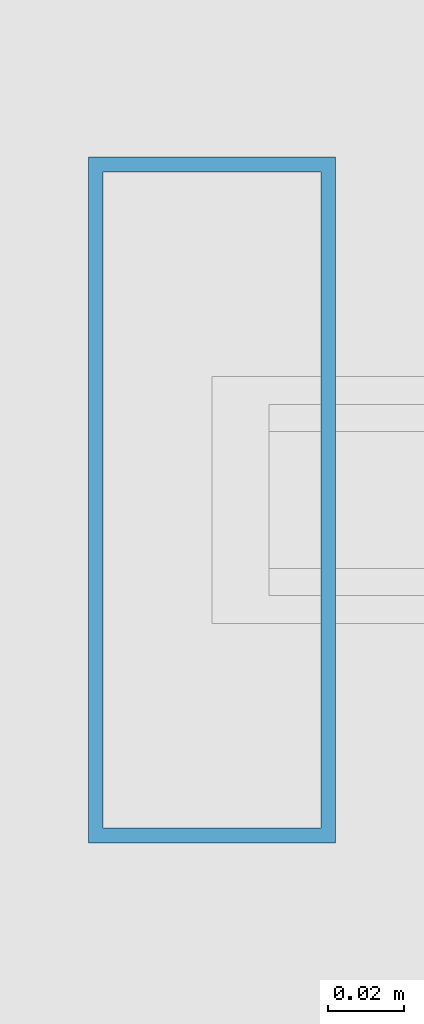
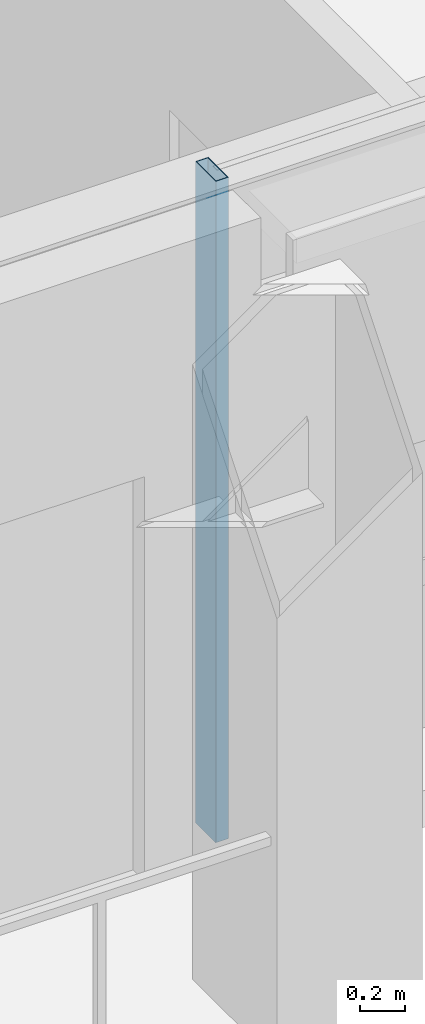
# One storey, part 6 of 31: 1 member, 1 element without a shape of its own.
"""IFC4 building model written with IfcOpenShell, lengths in metres."""

from ifc_helpers import new_model, si_unit, direction, frame, origin, origin_2d, place, context, subcontext, project, spatial, hollow_rectangle, extrude, material, layer, layer_set, material_profile, profile_set, type_object, element, aggregate, save


model = new_model("IFC4")

# Units and contexts
model_context = context("Model", 3, precision=1e-05, world=origin(), true_north=direction((0.0, 1.0)))
body_context = subcontext(model_context, "Body", "Model", "MODEL_VIEW")
ifc_project = project(units=[si_unit("LENGTHUNIT", "METRE"), si_unit("AREAUNIT", "SQUARE_METRE"), si_unit("VOLUMEUNIT", "CUBIC_METRE"), si_unit("PLANEANGLEUNIT", "RADIAN"), si_unit("MASSUNIT", "GRAM", prefix="KILO")], contexts=[model_context])

# Site, building, storey
site_placement = place(None, origin())
site = spatial("IfcSite", under=ifc_project, at=site_placement, CompositionType="ELEMENT")
building_placement = place(site_placement, origin())
building = spatial("IfcBuilding", under=site, at=building_placement, Name="Brelmoor Portico Tower", CompositionType="ELEMENT")
storey_placement = place(building_placement, frame((0.0, 0.0, 27.60009765625)))
storey = spatial("IfcBuildingStorey", under=building, at=storey_placement, Name="L06", CompositionType="ELEMENT", Elevation=27.60009765625)

# Curtain wall, member
ifc_material = material(Name="Anodised Aluminium Alloy 6063-T6", Category="aluminium")
ifc_layer = layer(ifc_material, 0.179931640625)
ifc_layer_set = layer_set([ifc_layer], Name="Anodised Aluminium Alloy 6063-T6")
curtain_wall_type = type_object("IfcCurtainWallType", Name="CW-TOWER-Z1", PredefinedType="NOTDEFINED", material=ifc_layer_set)
curtain_wall_placement = place(storey_placement, origin())
curtain_wall = element("IfcCurtainWall", 1, at=curtain_wall_placement, inside=storey, type_object=curtain_wall_type, Name="L06 Curtain Wall CW-L06-1R-1", PredefinedType="NOTDEFINED")
ifc_material_profile = material_profile(ifc_material, hollow_rectangle(XDim=0.06494140625, YDim=0.179931640625, WallThickness=0.00390625, at=origin_2d()), Name="ALU MULLION 65x180")
ifc_profile_set = profile_set([ifc_material_profile], Name="Anodised Aluminium Alloy 6063-T6")
member_type = type_object("IfcMemberType", Name="MB-CW-MULL-180", PredefinedType="MULLION", material=ifc_profile_set)
member_placement = place(storey_placement, frame((-3.39990234375, -21.550048828125, -0.2001953125), z_axis=(0.0, 0.0, 1.0), x_axis=(1.0, 0.0, 0.0)))
member = element("IfcMember", 2, at=member_placement, type_object=member_type, Name="CW-L06-1R-1 Mullion 00", PredefinedType="MULLION", context=body_context, shape_type="SweptSolid", body=[
    extrude(hollow_rectangle(XDim=0.06494140625, YDim=0.179931640625, WallThickness=0.00390625, at=origin_2d()), origin(), (0.0, 0.0, 1.0), 3.60009765625),
])
aggregate(curtain_wall, [member])

save(model, "model.ifc")
